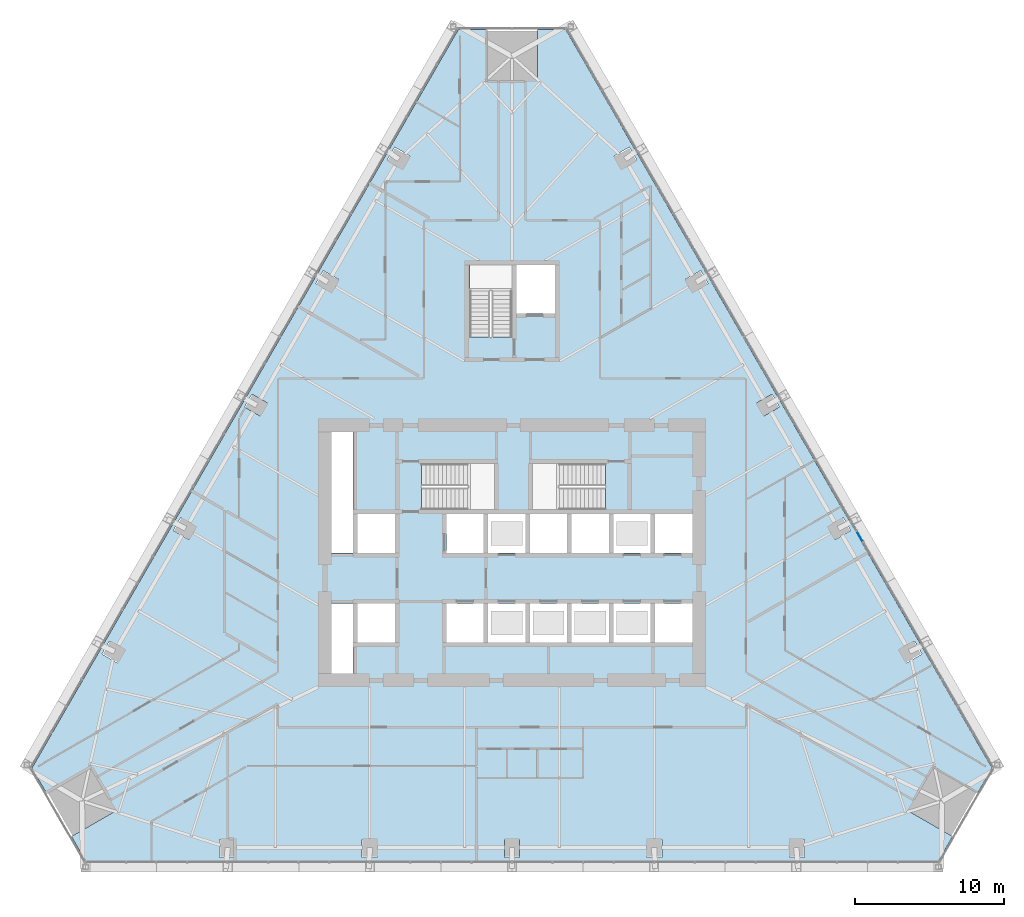
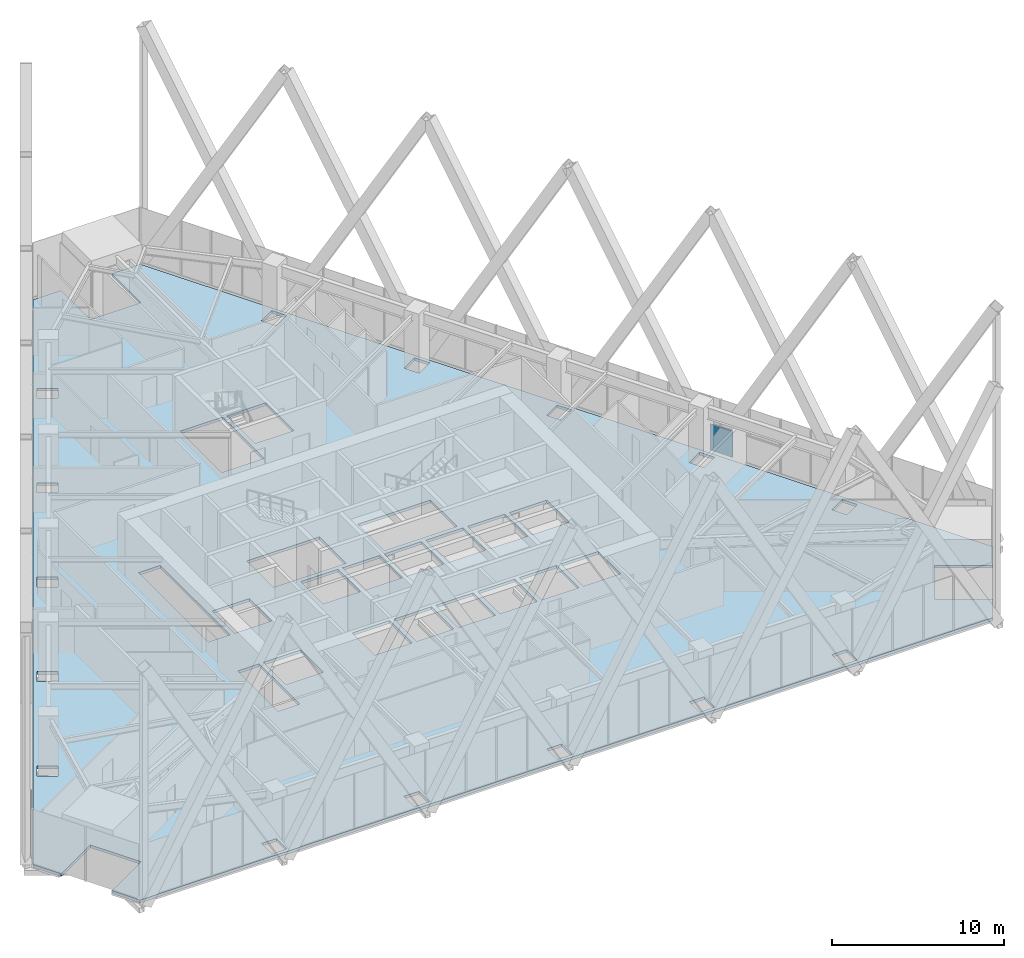
# One storey, part 14 of 23: 1 plate, 1 slab, 1 element without a shape of its own.
"""IFC4 building model written with IfcOpenShell, lengths in metres."""

from ifc_helpers import new_model, si_unit, direction, frame, origin, place, context, subcontext, project, spatial, polyline, outline, extrude, material, layer, layer_set, type_object, element, aggregate, save


model = new_model("IFC4")

# Units and contexts
model_context = context("Model", 3, precision=1e-05, world=origin(), true_north=direction((0.0, 1.0)))
body_context = subcontext(model_context, "Body", "Model", "MODEL_VIEW")
ifc_project = project(units=[si_unit("LENGTHUNIT", "METRE"), si_unit("AREAUNIT", "SQUARE_METRE"), si_unit("VOLUMEUNIT", "CUBIC_METRE"), si_unit("PLANEANGLEUNIT", "RADIAN"), si_unit("MASSUNIT", "GRAM", prefix="KILO")], contexts=[model_context])

# Site, building, storey
site_placement = place(None, origin())
site = spatial("IfcSite", under=ifc_project, at=site_placement, CompositionType="ELEMENT")
building_placement = place(site_placement, origin())
building = spatial("IfcBuilding", under=site, at=building_placement, Name="Firuza Gate Tower and Library", CompositionType="ELEMENT")
storey_placement = place(building_placement, frame((0.0, 0.0, 56.800048828125)))
storey = spatial("IfcBuildingStorey", under=building, at=storey_placement, Name="L12", CompositionType="ELEMENT", Elevation=56.800048828125)

# Slab
ifc_material_1 = material(Name="Concrete C40/50", Category="concrete")
ifc_layer_1 = layer(ifc_material_1, 0.199951171875)
ifc_layer_set_1 = layer_set([ifc_layer_1], Name="Composite floor slab 200 C40/50")
slab_type = type_object("IfcSlabType", Name="Composite floor slab 200 C40/50", PredefinedType="FLOOR", material=ifc_layer_set_1)
slab_placement = place(storey_placement, frame((0.0, 0.0, -0.199951171875)))
element("IfcSlab", 1, at=slab_placement, inside=storey, type_object=slab_type, Name="Floor slab L12", PredefinedType="FLOOR", context=body_context, shape_type="SweptSolid", body=[
    extrude(outline(polyline([(103.603271484375, 54.328857421875), (104.553466796875, 55.974365234375), (101.62060546875, 57.66748046875), (103.320556640625, 60.612060546875), (106.25341796875, 58.9189453125), (107.203369140625, 60.564208984375), (78.60009765625, 110.106689453125), (76.699951171875, 110.106689453125), (76.699951171875, 106.72021484375), (73.300048828125, 106.72021484375), (73.300048828125, 110.106689453125), (71.39990234375, 110.106689453125), (42.796630859375, 60.564208984375), (43.74658203125, 58.9189453125), (46.679443359375, 60.612060546875), (48.37939453125, 57.66748046875), (45.446533203125, 55.974365234375), (46.396728515625, 54.328857421875), (103.603271484375, 54.328857421875)]), holes=[polyline([(55.365478515625, 54.572265625), (55.365478515625, 55.772216796875), (56.365478515625, 55.772216796875), (56.365478515625, 54.572265625), (55.365478515625, 54.572265625)]), polyline([(64.932861328125, 54.572265625), (64.932861328125, 55.772216796875), (65.932861328125, 55.772216796875), (65.932861328125, 54.572265625), (64.932861328125, 54.572265625)]), polyline([(47.99169921875, 69.075927734375), (49.031005859375, 68.47607421875), (48.531005859375, 67.60986328125), (47.49169921875, 68.2099609375), (47.99169921875, 69.075927734375)]), polyline([(64.35009765625, 66.89990234375), (62.89990234375, 66.89990234375), (62.89990234375, 71.60009765625), (64.35009765625, 71.60009765625), (64.35009765625, 66.89990234375)]), polyline([(75.89990234375, 69.0), (73.39990234375, 69.0), (73.39990234375, 71.60009765625), (75.89990234375, 71.60009765625), (75.89990234375, 69.0)]), polyline([(73.10009765625, 69.0), (70.60009765625, 69.0), (70.60009765625, 71.60009765625), (73.10009765625, 71.60009765625), (73.10009765625, 69.0)]), polyline([(64.64990234375, 69.0), (64.64990234375, 71.60009765625), (67.14990234375, 71.60009765625), (67.14990234375, 69.0), (64.64990234375, 69.0)]), polyline([(64.64990234375, 75.0), (64.64990234375, 77.60009765625), (67.14990234375, 77.60009765625), (67.14990234375, 75.0), (64.64990234375, 75.0)]), polyline([(75.89990234375, 75.0), (73.39990234375, 75.0), (73.39990234375, 77.60009765625), (75.89990234375, 77.60009765625), (75.89990234375, 75.0)]), polyline([(73.10009765625, 75.0), (70.60009765625, 75.0), (70.60009765625, 77.60009765625), (73.10009765625, 77.60009765625), (73.10009765625, 75.0)]), polyline([(52.775390625, 77.361572265625), (53.814697265625, 76.761474609375), (53.314697265625, 75.8955078125), (52.275390625, 76.495361328125), (52.775390625, 77.361572265625)]), polyline([(62.89990234375, 75.0), (62.89990234375, 83.10009765625), (64.35009765625, 83.10009765625), (64.35009765625, 75.0), (62.89990234375, 75.0)]), polyline([(68.9404296875, 77.89990234375), (68.9404296875, 80.97998046875), (73.81005859375, 80.97998046875), (73.81005859375, 77.89990234375), (68.9404296875, 77.89990234375)]), polyline([(57.55908203125, 85.64697265625), (58.59814453125, 85.046875), (58.09814453125, 84.180908203125), (57.05908203125, 84.781005859375), (57.55908203125, 85.64697265625)]), polyline([(72.159912109375, 89.470458984375), (72.159912109375, 94.300048828125), (75.0, 94.300048828125), (75.0, 89.470458984375), (72.159912109375, 89.470458984375)]), polyline([(62.342529296875, 93.932373046875), (63.3818359375, 93.33251953125), (62.8818359375, 92.46630859375), (61.842529296875, 93.06640625), (62.342529296875, 93.932373046875)]), polyline([(68.16552734375, 101.617919921875), (67.66552734375, 100.751953125), (66.626220703125, 101.351806640625), (67.126220703125, 102.2177734375), (68.16552734375, 101.617919921875)]), polyline([(93.634521484375, 54.572265625), (93.634521484375, 55.772216796875), (94.634521484375, 55.772216796875), (94.634521484375, 54.572265625), (93.634521484375, 54.572265625)]), polyline([(74.5, 54.572265625), (74.5, 55.772216796875), (75.5, 55.772216796875), (75.5, 54.572265625), (74.5, 54.572265625)]), polyline([(84.067138671875, 54.572265625), (84.067138671875, 55.772216796875), (85.067138671875, 55.772216796875), (85.067138671875, 54.572265625), (84.067138671875, 54.572265625)]), polyline([(102.50830078125, 68.2099609375), (101.468994140625, 67.60986328125), (100.968994140625, 68.47607421875), (102.00830078125, 69.075927734375), (102.50830078125, 68.2099609375)]), polyline([(78.699951171875, 69.0), (76.199951171875, 69.0), (76.199951171875, 71.60009765625), (78.699951171875, 71.60009765625), (78.699951171875, 69.0)]), polyline([(81.5, 69.0), (79.0, 69.0), (79.0, 71.60009765625), (81.5, 71.60009765625), (81.5, 69.0)]), polyline([(84.60009765625, 69.0), (84.60009765625, 71.60009765625), (87.10009765625, 71.60009765625), (87.10009765625, 69.0), (84.60009765625, 69.0)]), polyline([(81.800048828125, 69.0), (81.800048828125, 71.60009765625), (84.300048828125, 71.60009765625), (84.300048828125, 69.0), (81.800048828125, 69.0)]), polyline([(84.300048828125, 75.0), (81.800048828125, 75.0), (81.800048828125, 77.60009765625), (84.300048828125, 77.60009765625), (84.300048828125, 75.0)]), polyline([(87.10009765625, 75.0), (84.60009765625, 75.0), (84.60009765625, 77.60009765625), (87.10009765625, 77.60009765625), (87.10009765625, 75.0)]), polyline([(81.5, 75.0), (79.0, 75.0), (79.0, 77.60009765625), (81.5, 77.60009765625), (81.5, 75.0)]), polyline([(76.199951171875, 75.0), (76.199951171875, 77.60009765625), (78.699951171875, 77.60009765625), (78.699951171875, 75.0), (76.199951171875, 75.0)]), polyline([(96.685302734375, 75.8955078125), (96.185302734375, 76.761474609375), (97.224609375, 77.361572265625), (97.724609375, 76.495361328125), (96.685302734375, 75.8955078125)]), polyline([(81.259521484375, 77.89990234375), (76.389892578125, 77.89990234375), (76.389892578125, 80.97998046875), (81.259521484375, 80.97998046875), (81.259521484375, 77.89990234375)]), polyline([(92.94091796875, 84.781005859375), (91.90185546875, 84.180908203125), (91.40185546875, 85.046875), (92.44091796875, 85.64697265625), (92.94091796875, 84.781005859375)]), polyline([(77.89990234375, 91.050048828125), (75.300048828125, 91.050048828125), (75.300048828125, 94.300048828125), (77.89990234375, 94.300048828125), (77.89990234375, 91.050048828125)]), polyline([(87.1181640625, 92.46630859375), (86.6181640625, 93.33251953125), (87.657470703125, 93.932373046875), (88.157470703125, 93.06640625), (87.1181640625, 92.46630859375)]), polyline([(82.33447265625, 100.751953125), (81.83447265625, 101.617919921875), (82.873779296875, 102.2177734375), (83.373779296875, 101.351806640625), (82.33447265625, 100.751953125)])]), origin(), (0.0, 0.0, 1.0), 0.199951171875),
])

# Curtain wall, plate
ifc_material_2 = material(Name="Aluminium 6063-T6", Category="aluminium")
ifc_layer_2 = layer(ifc_material_2, 0.14990234375)
ifc_layer_set_2 = layer_set([ifc_layer_2], Name="Unitised curtain wall, offices")
curtain_wall_type = type_object("IfcCurtainWallType", Name="Unitised curtain wall, offices", PredefinedType="NOTDEFINED", material=ifc_layer_set_2)
curtain_wall_placement = place(storey_placement, origin())
curtain_wall = element("IfcCurtainWall", 2, at=curtain_wall_placement, inside=storey, type_object=curtain_wall_type, Name="CW1 L12 E face", PredefinedType="NOTDEFINED")
ifc_material_3 = material(Name="Glazed ceramic tile")
ifc_layer_3 = layer(ifc_material_3, 0.030029296875)
ifc_layer_set_3 = layer_set([ifc_layer_3], Name="Opaque ceramic panel, offices")
plate_type = type_object("IfcPlateType", Name="Opaque ceramic panel, offices", PredefinedType="CURTAIN_PANEL", material=ifc_layer_set_3)
plate_placement = place(storey_placement, frame((98.528076171875, 75.7705078125, 0.14990234375), z_axis=(0.866042691182, 0.499970056154, 0.0), x_axis=(-0.499970056154, 0.866042691182, 0.0)))
plate = element("IfcPlate", 3, at=plate_placement, type_object=plate_type, Name="Opaque ceramic panel", PredefinedType="CURTAIN_PANEL", context=body_context, shape_type="SweptSolid", body=[
    extrude(outline(polyline([(0.0, 0.0), (1.5079028048180787, 0.0), (1.5079028048180787, 1.885009765625), (0.0, 1.885009765625), (0.0, 0.0)])), origin(), (0.0, 0.0, -1.0), 0.030029296875),
])
aggregate(curtain_wall, [plate])

save(model, "model.ifc")
